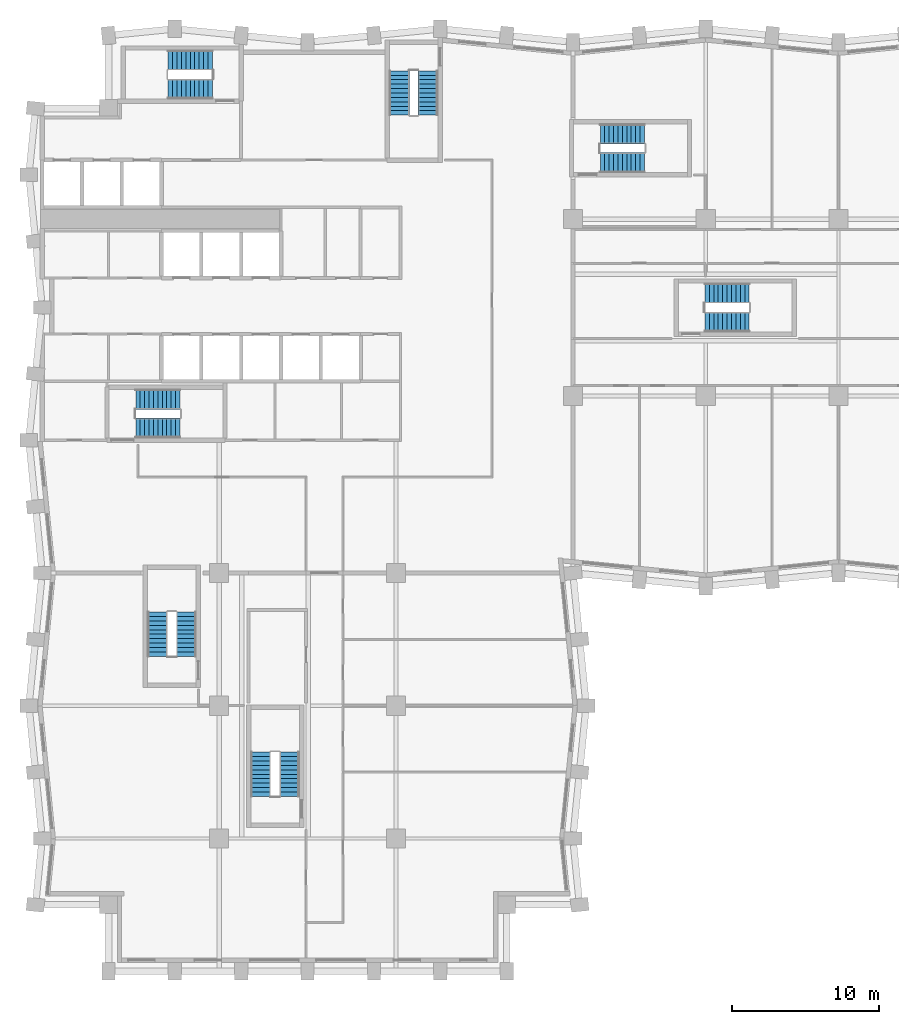
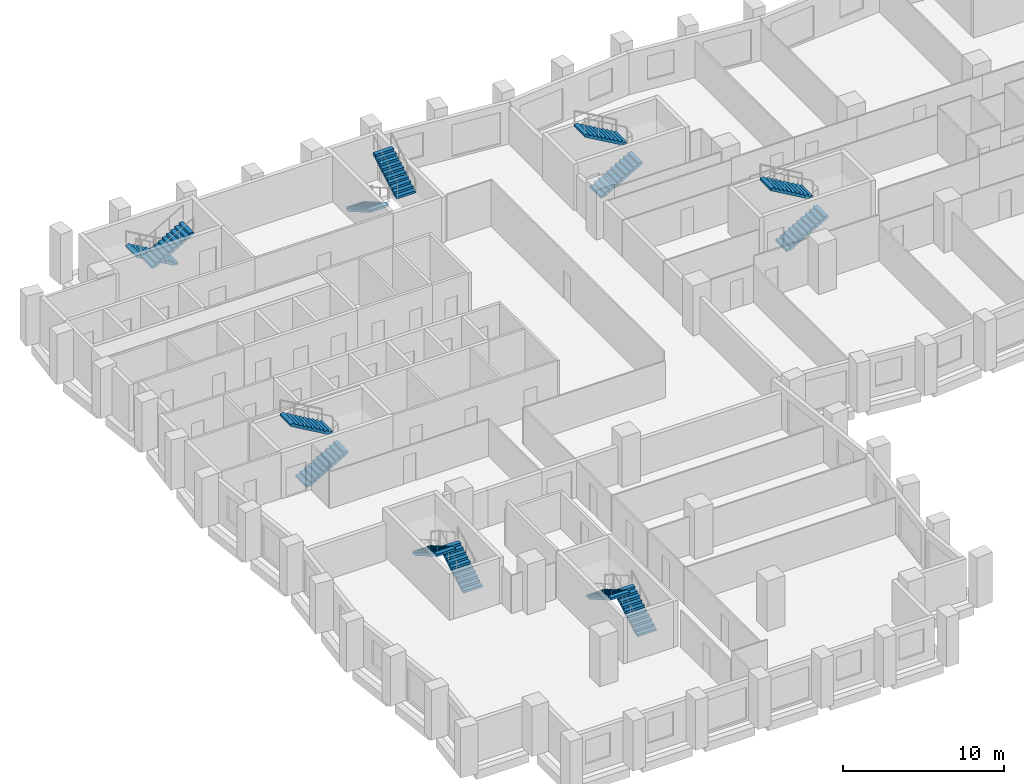
# One storey, part 9 of 11: 14 stair flights, 7 elements without a shape of their own.
"""IFC4 building model written with IfcOpenShell, lengths in metres."""

from ifc_helpers import new_model, si_unit, direction, frame, origin, place, context, subcontext, project, spatial, polyline, outline, extrude, material, type_object, element, aggregate, save


model = new_model("IFC4")

# Units and contexts
model_context = context("Model", 3, precision=1e-05, world=origin(), true_north=direction((0.0, 1.0)))
body_context = subcontext(model_context, "Body", "Model", "MODEL_VIEW")
ifc_project = project(units=[si_unit("LENGTHUNIT", "METRE"), si_unit("AREAUNIT", "SQUARE_METRE"), si_unit("VOLUMEUNIT", "CUBIC_METRE"), si_unit("PLANEANGLEUNIT", "RADIAN"), si_unit("MASSUNIT", "GRAM", prefix="KILO")], contexts=[model_context])

# Site, building, storey
site_placement = place(None, origin())
site = spatial("IfcSite", under=ifc_project, at=site_placement, CompositionType="ELEMENT")
building_placement = place(site_placement, origin())
building = spatial("IfcBuilding", under=site, at=building_placement, Name="Brondeck Convention Tower", CompositionType="ELEMENT")
storey_placement = place(building_placement, frame((0.0, 0.0, 126.5)))
storey = spatial("IfcBuildingStorey", under=building, at=storey_placement, Name="L30", CompositionType="ELEMENT", Elevation=126.5)

# Stair, stair flights
ifc_material = material(Name="Precast concrete C50/60", Category="concrete")
stair_type = type_object("IfcStairType", Name="Core stair 22 risers 172.73 mm riser 300 mm going 1350 wide", PredefinedType="HALF_TURN_STAIR", material=ifc_material)
stair_1_placement = place(storey_placement, origin())
stair_1 = element("IfcStair", 1, at=stair_1_placement, inside=storey, type_object=stair_type, Name="ST-1 L30 stair", PredefinedType="HALF_TURN_STAIR")
stair_flight_type = type_object("IfcStairFlightType", Name="Core stair flight 22 risers 172.73 mm riser 300 mm going 1350 wide", PredefinedType="STRAIGHT", material=ifc_material)
stair_flight_1_placement = place(storey_placement, frame((6.35009765625, 36.824951171875, 0.0), z_axis=(0.0, 0.0, 1.0), x_axis=(1.0, 0.0, 0.0)))
stair_flight_1 = element("IfcStairFlight", 2, at=stair_flight_1_placement, type_object=stair_flight_type, Name="ST-1 flight 1", NumberOfRisers=11, NumberOfTreads=10, PredefinedType="STRAIGHT", RiserHeight=0.172727273, TreadLength=0.3, context=body_context, shape_type="SweptSolid", body=[
    extrude(outline(polyline([(0.0, 0.0), (0.0, 0.172607421875), (0.300048828125, 0.172607421875), (0.300048828125, 0.345458984375), (0.60009765625, 0.345458984375), (0.60009765625, 0.51806640625), (0.89990234375, 0.51806640625), (0.89990234375, 0.69091796875), (1.199951171875, 0.69091796875), (1.199951171875, 0.863525390625), (1.5, 0.863525390625), (1.5, 1.036376953125), (1.800048828125, 1.036376953125), (1.800048828125, 1.208984375), (2.10009765625, 1.208984375), (2.10009765625, 1.3818359375), (2.39990234375, 1.3818359375), (2.39990234375, 1.554443359375), (2.699951171875, 1.554443359375), (2.699951171875, 1.727294921875), (3.0, 1.727294921875), (3.0, 1.89990234375), (3.0, 1.55419921875), (0.300537109375, 0.0), (0.0, 0.0)])), frame((0.0, 0.675048828125, 0.0), z_axis=(0.0, -1.0, 0.0), x_axis=(1.0, 0.0, 0.0)), (0.0, 0.0, 1.0), 1.35009765625),
])
stair_flight_2_placement = place(storey_placement, frame((9.35009765625, 38.77490234375, 1.89990234375), z_axis=(0.0, 0.0, 1.0), x_axis=(-1.0, 0.0, 0.0)))
stair_flight_2 = element("IfcStairFlight", 3, at=stair_flight_2_placement, type_object=stair_flight_type, Name="ST-1 flight 2", NumberOfRisers=11, NumberOfTreads=10, PredefinedType="STRAIGHT", RiserHeight=0.172727273, TreadLength=0.3, context=body_context, shape_type="SweptSolid", body=[
    extrude(outline(polyline([(0.0, 0.0), (0.0, 0.172607421875), (0.300048828125, 0.172607421875), (0.300048828125, 0.345458984375), (0.60009765625, 0.345458984375), (0.60009765625, 0.51806640625), (0.89990234375, 0.51806640625), (0.89990234375, 0.69091796875), (1.199951171875, 0.69091796875), (1.199951171875, 0.863525390625), (1.5, 0.863525390625), (1.5, 1.036376953125), (1.800048828125, 1.036376953125), (1.800048828125, 1.208984375), (2.10009765625, 1.208984375), (2.10009765625, 1.3818359375), (2.39990234375, 1.3818359375), (2.39990234375, 1.554443359375), (2.699951171875, 1.554443359375), (2.699951171875, 1.727294921875), (3.0, 1.727294921875), (3.0, 1.89990234375), (3.0, 1.55419921875), (0.300537109375, 0.0), (0.0, 0.0)])), frame((0.0, 0.675048828125, 0.0), z_axis=(0.0, -1.0, 0.0), x_axis=(1.0, 0.0, 0.0)), (0.0, 0.0, 1.0), 1.35009765625),
])
aggregate(stair_1, [stair_flight_1, stair_flight_2])

stair_2_placement = place(storey_placement, origin())
stair_2 = element("IfcStair", 4, at=stair_2_placement, inside=storey, type_object=stair_type, Name="ST-2 L30 stair", PredefinedType="HALF_TURN_STAIR")
stair_flight_3_placement = place(storey_placement, frame((24.22509765625, 61.050048828125, 0.0), z_axis=(0.0, 0.0, 1.0), x_axis=(0.0, -1.0, 0.0)))
stair_flight_3 = element("IfcStairFlight", 5, at=stair_flight_3_placement, type_object=stair_flight_type, Name="ST-2 flight 1", NumberOfRisers=11, NumberOfTreads=10, PredefinedType="STRAIGHT", RiserHeight=0.172727273, TreadLength=0.3, context=body_context, shape_type="SweptSolid", body=[
    extrude(outline(polyline([(0.0, 0.0), (0.0, 0.172607421875), (0.300048828125, 0.172607421875), (0.300048828125, 0.345458984375), (0.60009765625, 0.345458984375), (0.60009765625, 0.51806640625), (0.89990234375, 0.51806640625), (0.89990234375, 0.69091796875), (1.199951171875, 0.69091796875), (1.199951171875, 0.863525390625), (1.5, 0.863525390625), (1.5, 1.036376953125), (1.800048828125, 1.036376953125), (1.800048828125, 1.208984375), (2.10009765625, 1.208984375), (2.10009765625, 1.3818359375), (2.39990234375, 1.3818359375), (2.39990234375, 1.554443359375), (2.699951171875, 1.554443359375), (2.699951171875, 1.727294921875), (3.0, 1.727294921875), (3.0, 1.89990234375), (3.0, 1.55419921875), (0.300537109375, 0.0), (0.0, 0.0)])), frame((0.0, 0.675048828125, 0.0), z_axis=(0.0, -1.0, 0.0), x_axis=(1.0, 0.0, 0.0)), (0.0, 0.0, 1.0), 1.35009765625),
])
stair_flight_4_placement = place(storey_placement, frame((26.175048828125, 58.050048828125, 1.89990234375), z_axis=(0.0, 0.0, 1.0), x_axis=(0.0, 1.0, 0.0)))
stair_flight_4 = element("IfcStairFlight", 6, at=stair_flight_4_placement, type_object=stair_flight_type, Name="ST-2 flight 2", NumberOfRisers=11, NumberOfTreads=10, PredefinedType="STRAIGHT", RiserHeight=0.172727273, TreadLength=0.3, context=body_context, shape_type="SweptSolid", body=[
    extrude(outline(polyline([(0.0, 0.0), (0.0, 0.172607421875), (0.300048828125, 0.172607421875), (0.300048828125, 0.345458984375), (0.60009765625, 0.345458984375), (0.60009765625, 0.51806640625), (0.89990234375, 0.51806640625), (0.89990234375, 0.69091796875), (1.199951171875, 0.69091796875), (1.199951171875, 0.863525390625), (1.5, 0.863525390625), (1.5, 1.036376953125), (1.800048828125, 1.036376953125), (1.800048828125, 1.208984375), (2.10009765625, 1.208984375), (2.10009765625, 1.3818359375), (2.39990234375, 1.3818359375), (2.39990234375, 1.554443359375), (2.699951171875, 1.554443359375), (2.699951171875, 1.727294921875), (3.0, 1.727294921875), (3.0, 1.89990234375), (3.0, 1.55419921875), (0.300537109375, 0.0), (0.0, 0.0)])), frame((0.0, 0.675048828125, 0.0), z_axis=(0.0, -1.0, 0.0), x_axis=(1.0, 0.0, 0.0)), (0.0, 0.0, 1.0), 1.35009765625),
])
aggregate(stair_2, [stair_flight_3, stair_flight_4])

stair_3_placement = place(storey_placement, origin())
stair_3 = element("IfcStair", 7, at=stair_3_placement, inside=storey, type_object=stair_type, Name="ST-3 L30 stair", PredefinedType="HALF_TURN_STAIR")
stair_flight_5_placement = place(storey_placement, frame((11.550048828125, 61.77490234375, 0.0), z_axis=(0.0, 0.0, 1.0), x_axis=(-1.0, 0.0, 0.0)))
stair_flight_5 = element("IfcStairFlight", 8, at=stair_flight_5_placement, type_object=stair_flight_type, Name="ST-3 flight 1", NumberOfRisers=11, NumberOfTreads=10, PredefinedType="STRAIGHT", RiserHeight=0.172727273, TreadLength=0.3, context=body_context, shape_type="SweptSolid", body=[
    extrude(outline(polyline([(0.0, 0.0), (0.0, 0.172607421875), (0.300048828125, 0.172607421875), (0.300048828125, 0.345458984375), (0.60009765625, 0.345458984375), (0.60009765625, 0.51806640625), (0.89990234375, 0.51806640625), (0.89990234375, 0.69091796875), (1.199951171875, 0.69091796875), (1.199951171875, 0.863525390625), (1.5, 0.863525390625), (1.5, 1.036376953125), (1.800048828125, 1.036376953125), (1.800048828125, 1.208984375), (2.10009765625, 1.208984375), (2.10009765625, 1.3818359375), (2.39990234375, 1.3818359375), (2.39990234375, 1.554443359375), (2.699951171875, 1.554443359375), (2.699951171875, 1.727294921875), (3.0, 1.727294921875), (3.0, 1.89990234375), (3.0, 1.55419921875), (0.300537109375, 0.0), (0.0, 0.0)])), frame((0.0, 0.675048828125, 0.0), z_axis=(0.0, -1.0, 0.0), x_axis=(1.0, 0.0, 0.0)), (0.0, 0.0, 1.0), 1.35009765625),
])
stair_flight_6_placement = place(storey_placement, frame((8.550048828125, 59.824951171875, 1.89990234375), z_axis=(0.0, 0.0, 1.0), x_axis=(1.0, 0.0, 0.0)))
stair_flight_6 = element("IfcStairFlight", 9, at=stair_flight_6_placement, type_object=stair_flight_type, Name="ST-3 flight 2", NumberOfRisers=11, NumberOfTreads=10, PredefinedType="STRAIGHT", RiserHeight=0.172727273, TreadLength=0.3, context=body_context, shape_type="SweptSolid", body=[
    extrude(outline(polyline([(0.0, 0.0), (0.0, 0.172607421875), (0.300048828125, 0.172607421875), (0.300048828125, 0.345458984375), (0.60009765625, 0.345458984375), (0.60009765625, 0.51806640625), (0.89990234375, 0.51806640625), (0.89990234375, 0.69091796875), (1.199951171875, 0.69091796875), (1.199951171875, 0.863525390625), (1.5, 0.863525390625), (1.5, 1.036376953125), (1.800048828125, 1.036376953125), (1.800048828125, 1.208984375), (2.10009765625, 1.208984375), (2.10009765625, 1.3818359375), (2.39990234375, 1.3818359375), (2.39990234375, 1.554443359375), (2.699951171875, 1.554443359375), (2.699951171875, 1.727294921875), (3.0, 1.727294921875), (3.0, 1.89990234375), (3.0, 1.55419921875), (0.300537109375, 0.0), (0.0, 0.0)])), frame((0.0, 0.675048828125, 0.0), z_axis=(0.0, -1.0, 0.0), x_axis=(1.0, 0.0, 0.0)), (0.0, 0.0, 1.0), 1.35009765625),
])
aggregate(stair_3, [stair_flight_5, stair_flight_6])

stair_4_placement = place(storey_placement, origin())
stair_4 = element("IfcStair", 10, at=stair_4_placement, inside=storey, type_object=stair_type, Name="ST-AE L30 stair", PredefinedType="HALF_TURN_STAIR")
stair_flight_7_placement = place(storey_placement, frame((37.85009765625, 54.824951171875, 0.0), z_axis=(0.0, 0.0, 1.0), x_axis=(1.0, 0.0, 0.0)))
stair_flight_7 = element("IfcStairFlight", 11, at=stair_flight_7_placement, type_object=stair_flight_type, Name="ST-AE flight 1", NumberOfRisers=11, NumberOfTreads=10, PredefinedType="STRAIGHT", RiserHeight=0.172727273, TreadLength=0.3, context=body_context, shape_type="SweptSolid", body=[
    extrude(outline(polyline([(0.0, 0.0), (0.0, 0.172607421875), (0.300048828125, 0.172607421875), (0.300048828125, 0.345458984375), (0.60009765625, 0.345458984375), (0.60009765625, 0.51806640625), (0.89990234375, 0.51806640625), (0.89990234375, 0.69091796875), (1.199951171875, 0.69091796875), (1.199951171875, 0.863525390625), (1.5, 0.863525390625), (1.5, 1.036376953125), (1.800048828125, 1.036376953125), (1.800048828125, 1.208984375), (2.10009765625, 1.208984375), (2.10009765625, 1.3818359375), (2.39990234375, 1.3818359375), (2.39990234375, 1.554443359375), (2.699951171875, 1.554443359375), (2.699951171875, 1.727294921875), (3.0, 1.727294921875), (3.0, 1.89990234375), (3.0, 1.55419921875), (0.300537109375, 0.0), (0.0, 0.0)])), frame((0.0, 0.675048828125, 0.0), z_axis=(0.0, -1.0, 0.0), x_axis=(1.0, 0.0, 0.0)), (0.0, 0.0, 1.0), 1.35009765625),
])
stair_flight_8_placement = place(storey_placement, frame((40.85009765625, 56.77490234375, 1.89990234375), z_axis=(0.0, 0.0, 1.0), x_axis=(-1.0, 0.0, 0.0)))
stair_flight_8 = element("IfcStairFlight", 12, at=stair_flight_8_placement, type_object=stair_flight_type, Name="ST-AE flight 2", NumberOfRisers=11, NumberOfTreads=10, PredefinedType="STRAIGHT", RiserHeight=0.172727273, TreadLength=0.3, context=body_context, shape_type="SweptSolid", body=[
    extrude(outline(polyline([(0.0, 0.0), (0.0, 0.172607421875), (0.300048828125, 0.172607421875), (0.300048828125, 0.345458984375), (0.60009765625, 0.345458984375), (0.60009765625, 0.51806640625), (0.89990234375, 0.51806640625), (0.89990234375, 0.69091796875), (1.199951171875, 0.69091796875), (1.199951171875, 0.863525390625), (1.5, 0.863525390625), (1.5, 1.036376953125), (1.800048828125, 1.036376953125), (1.800048828125, 1.208984375), (2.10009765625, 1.208984375), (2.10009765625, 1.3818359375), (2.39990234375, 1.3818359375), (2.39990234375, 1.554443359375), (2.699951171875, 1.554443359375), (2.699951171875, 1.727294921875), (3.0, 1.727294921875), (3.0, 1.89990234375), (3.0, 1.55419921875), (0.300537109375, 0.0), (0.0, 0.0)])), frame((0.0, 0.675048828125, 0.0), z_axis=(0.0, -1.0, 0.0), x_axis=(1.0, 0.0, 0.0)), (0.0, 0.0, 1.0), 1.35009765625),
])
aggregate(stair_4, [stair_flight_7, stair_flight_8])

stair_5_placement = place(storey_placement, origin())
stair_5 = element("IfcStair", 13, at=stair_5_placement, inside=storey, type_object=stair_type, Name="ST-BE L30 stair", PredefinedType="HALF_TURN_STAIR")
stair_flight_9_placement = place(storey_placement, frame((9.77490234375, 21.35009765625, 0.0), z_axis=(0.0, 0.0, 1.0), x_axis=(0.0, 1.0, 0.0)))
stair_flight_9 = element("IfcStairFlight", 14, at=stair_flight_9_placement, type_object=stair_flight_type, Name="ST-BE flight 1", NumberOfRisers=11, NumberOfTreads=10, PredefinedType="STRAIGHT", RiserHeight=0.172727273, TreadLength=0.3, context=body_context, shape_type="SweptSolid", body=[
    extrude(outline(polyline([(0.0, 0.0), (0.0, 0.172607421875), (0.300048828125, 0.172607421875), (0.300048828125, 0.345458984375), (0.60009765625, 0.345458984375), (0.60009765625, 0.51806640625), (0.89990234375, 0.51806640625), (0.89990234375, 0.69091796875), (1.199951171875, 0.69091796875), (1.199951171875, 0.863525390625), (1.5, 0.863525390625), (1.5, 1.036376953125), (1.800048828125, 1.036376953125), (1.800048828125, 1.208984375), (2.10009765625, 1.208984375), (2.10009765625, 1.3818359375), (2.39990234375, 1.3818359375), (2.39990234375, 1.554443359375), (2.699951171875, 1.554443359375), (2.699951171875, 1.727294921875), (3.0, 1.727294921875), (3.0, 1.89990234375), (3.0, 1.55419921875), (0.300537109375, 0.0), (0.0, 0.0)])), frame((0.0, 0.675048828125, 0.0), z_axis=(0.0, -1.0, 0.0), x_axis=(1.0, 0.0, 0.0)), (0.0, 0.0, 1.0), 1.35009765625),
])
stair_flight_10_placement = place(storey_placement, frame((7.824951171875, 24.35009765625, 1.89990234375), z_axis=(0.0, 0.0, 1.0), x_axis=(0.0, -1.0, 0.0)))
stair_flight_10 = element("IfcStairFlight", 15, at=stair_flight_10_placement, type_object=stair_flight_type, Name="ST-BE flight 2", NumberOfRisers=11, NumberOfTreads=10, PredefinedType="STRAIGHT", RiserHeight=0.172727273, TreadLength=0.3, context=body_context, shape_type="SweptSolid", body=[
    extrude(outline(polyline([(0.0, 0.0), (0.0, 0.172607421875), (0.300048828125, 0.172607421875), (0.300048828125, 0.345458984375), (0.60009765625, 0.345458984375), (0.60009765625, 0.51806640625), (0.89990234375, 0.51806640625), (0.89990234375, 0.69091796875), (1.199951171875, 0.69091796875), (1.199951171875, 0.863525390625), (1.5, 0.863525390625), (1.5, 1.036376953125), (1.800048828125, 1.036376953125), (1.800048828125, 1.208984375), (2.10009765625, 1.208984375), (2.10009765625, 1.3818359375), (2.39990234375, 1.3818359375), (2.39990234375, 1.554443359375), (2.699951171875, 1.554443359375), (2.699951171875, 1.727294921875), (3.0, 1.727294921875), (3.0, 1.89990234375), (3.0, 1.55419921875), (0.300537109375, 0.0), (0.0, 0.0)])), frame((0.0, 0.675048828125, 0.0), z_axis=(0.0, -1.0, 0.0), x_axis=(1.0, 0.0, 0.0)), (0.0, 0.0, 1.0), 1.35009765625),
])
aggregate(stair_5, [stair_flight_9, stair_flight_10])

stair_6_placement = place(storey_placement, origin())
stair_6 = element("IfcStair", 16, at=stair_6_placement, inside=storey, type_object=stair_type, Name="ST-AF L30 stair", PredefinedType="HALF_TURN_STAIR")
stair_flight_11_placement = place(storey_placement, frame((44.949951171875, 44.02490234375, 0.0), z_axis=(0.0, 0.0, 1.0), x_axis=(1.0, 0.0, 0.0)))
stair_flight_11 = element("IfcStairFlight", 17, at=stair_flight_11_placement, type_object=stair_flight_type, Name="ST-AF flight 1", NumberOfRisers=11, NumberOfTreads=10, PredefinedType="STRAIGHT", RiserHeight=0.172727273, TreadLength=0.3, context=body_context, shape_type="SweptSolid", body=[
    extrude(outline(polyline([(0.0, 0.0), (0.0, 0.172607421875), (0.300048828125, 0.172607421875), (0.300048828125, 0.345458984375), (0.60009765625, 0.345458984375), (0.60009765625, 0.51806640625), (0.89990234375, 0.51806640625), (0.89990234375, 0.69091796875), (1.199951171875, 0.69091796875), (1.199951171875, 0.863525390625), (1.5, 0.863525390625), (1.5, 1.036376953125), (1.800048828125, 1.036376953125), (1.800048828125, 1.208984375), (2.10009765625, 1.208984375), (2.10009765625, 1.3818359375), (2.39990234375, 1.3818359375), (2.39990234375, 1.554443359375), (2.699951171875, 1.554443359375), (2.699951171875, 1.727294921875), (3.0, 1.727294921875), (3.0, 1.89990234375), (3.0, 1.55419921875), (0.300537109375, 0.0), (0.0, 0.0)])), frame((0.0, 0.675048828125, 0.0), z_axis=(0.0, -1.0, 0.0), x_axis=(1.0, 0.0, 0.0)), (0.0, 0.0, 1.0), 1.35009765625),
])
stair_flight_12_placement = place(storey_placement, frame((47.949951171875, 45.97509765625, 1.89990234375), z_axis=(0.0, 0.0, 1.0), x_axis=(-1.0, 0.0, 0.0)))
stair_flight_12 = element("IfcStairFlight", 18, at=stair_flight_12_placement, type_object=stair_flight_type, Name="ST-AF flight 2", NumberOfRisers=11, NumberOfTreads=10, PredefinedType="STRAIGHT", RiserHeight=0.172727273, TreadLength=0.3, context=body_context, shape_type="SweptSolid", body=[
    extrude(outline(polyline([(0.0, 0.0), (0.0, 0.172607421875), (0.300048828125, 0.172607421875), (0.300048828125, 0.345458984375), (0.60009765625, 0.345458984375), (0.60009765625, 0.51806640625), (0.89990234375, 0.51806640625), (0.89990234375, 0.69091796875), (1.199951171875, 0.69091796875), (1.199951171875, 0.863525390625), (1.5, 0.863525390625), (1.5, 1.036376953125), (1.800048828125, 1.036376953125), (1.800048828125, 1.208984375), (2.10009765625, 1.208984375), (2.10009765625, 1.3818359375), (2.39990234375, 1.3818359375), (2.39990234375, 1.554443359375), (2.699951171875, 1.554443359375), (2.699951171875, 1.727294921875), (3.0, 1.727294921875), (3.0, 1.89990234375), (3.0, 1.55419921875), (0.300537109375, 0.0), (0.0, 0.0)])), frame((0.0, 0.675048828125, 0.0), z_axis=(0.0, -1.0, 0.0), x_axis=(1.0, 0.0, 0.0)), (0.0, 0.0, 1.0), 1.35009765625),
])
aggregate(stair_6, [stair_flight_11, stair_flight_12])

stair_7_placement = place(storey_placement, origin())
stair_7 = element("IfcStair", 19, at=stair_7_placement, inside=storey, type_object=stair_type, Name="ST-BF L30 stair", PredefinedType="HALF_TURN_STAIR")
stair_flight_13_placement = place(storey_placement, frame((16.77490234375, 11.85009765625, 0.0), z_axis=(0.0, 0.0, 1.0), x_axis=(0.0, 1.0, 0.0)))
stair_flight_13 = element("IfcStairFlight", 20, at=stair_flight_13_placement, type_object=stair_flight_type, Name="ST-BF flight 1", NumberOfRisers=11, NumberOfTreads=10, PredefinedType="STRAIGHT", RiserHeight=0.172727273, TreadLength=0.3, context=body_context, shape_type="SweptSolid", body=[
    extrude(outline(polyline([(0.0, 0.0), (0.0, 0.172607421875), (0.300048828125, 0.172607421875), (0.300048828125, 0.345458984375), (0.60009765625, 0.345458984375), (0.60009765625, 0.51806640625), (0.89990234375, 0.51806640625), (0.89990234375, 0.69091796875), (1.199951171875, 0.69091796875), (1.199951171875, 0.863525390625), (1.5, 0.863525390625), (1.5, 1.036376953125), (1.800048828125, 1.036376953125), (1.800048828125, 1.208984375), (2.10009765625, 1.208984375), (2.10009765625, 1.3818359375), (2.39990234375, 1.3818359375), (2.39990234375, 1.554443359375), (2.699951171875, 1.554443359375), (2.699951171875, 1.727294921875), (3.0, 1.727294921875), (3.0, 1.89990234375), (3.0, 1.55419921875), (0.300537109375, 0.0), (0.0, 0.0)])), frame((0.0, 0.675048828125, 0.0), z_axis=(0.0, -1.0, 0.0), x_axis=(1.0, 0.0, 0.0)), (0.0, 0.0, 1.0), 1.35009765625),
])
stair_flight_14_placement = place(storey_placement, frame((14.824951171875, 14.85009765625, 1.89990234375), z_axis=(0.0, 0.0, 1.0), x_axis=(0.0, -1.0, 0.0)))
stair_flight_14 = element("IfcStairFlight", 21, at=stair_flight_14_placement, type_object=stair_flight_type, Name="ST-BF flight 2", NumberOfRisers=11, NumberOfTreads=10, PredefinedType="STRAIGHT", RiserHeight=0.172727273, TreadLength=0.3, context=body_context, shape_type="SweptSolid", body=[
    extrude(outline(polyline([(0.0, 0.0), (0.0, 0.172607421875), (0.300048828125, 0.172607421875), (0.300048828125, 0.345458984375), (0.60009765625, 0.345458984375), (0.60009765625, 0.51806640625), (0.89990234375, 0.51806640625), (0.89990234375, 0.69091796875), (1.199951171875, 0.69091796875), (1.199951171875, 0.863525390625), (1.5, 0.863525390625), (1.5, 1.036376953125), (1.800048828125, 1.036376953125), (1.800048828125, 1.208984375), (2.10009765625, 1.208984375), (2.10009765625, 1.3818359375), (2.39990234375, 1.3818359375), (2.39990234375, 1.554443359375), (2.699951171875, 1.554443359375), (2.699951171875, 1.727294921875), (3.0, 1.727294921875), (3.0, 1.89990234375), (3.0, 1.55419921875), (0.300537109375, 0.0), (0.0, 0.0)])), frame((0.0, 0.675048828125, 0.0), z_axis=(0.0, -1.0, 0.0), x_axis=(1.0, 0.0, 0.0)), (0.0, 0.0, 1.0), 1.35009765625),
])
aggregate(stair_7, [stair_flight_13, stair_flight_14])

save(model, "model.ifc")
